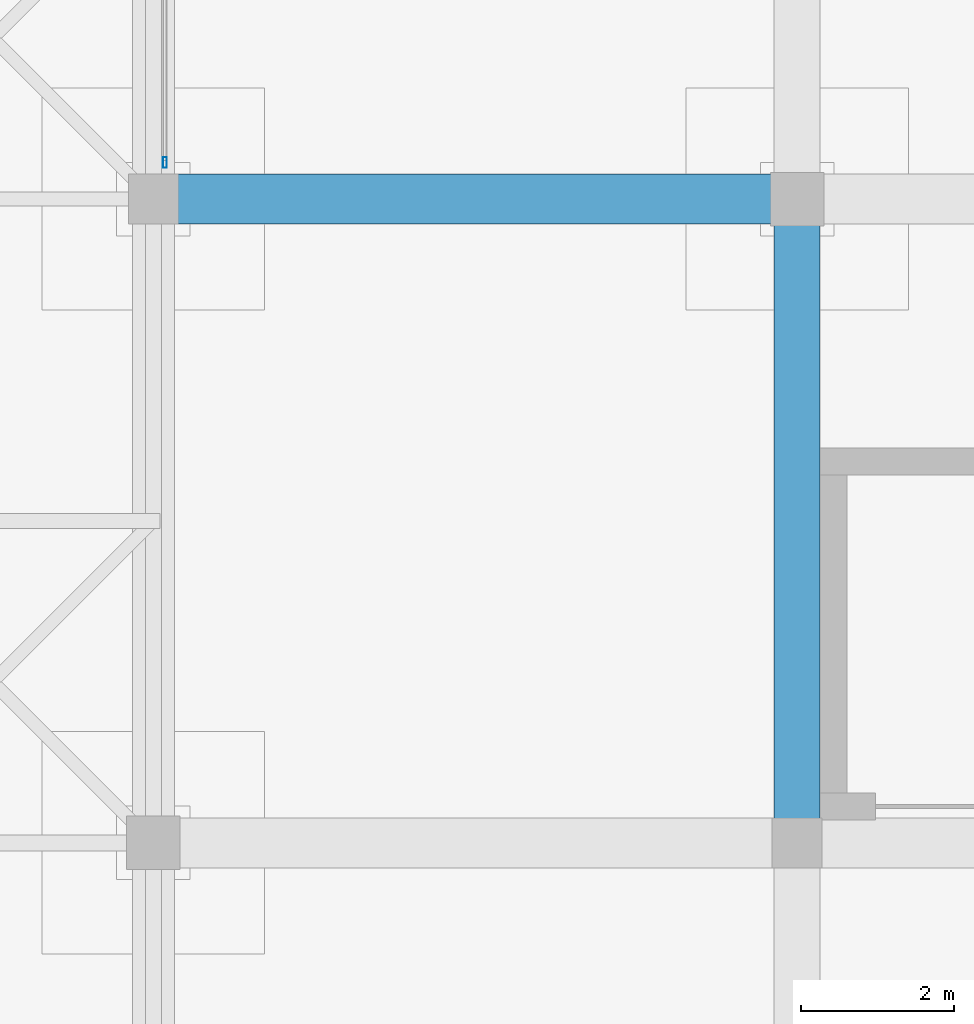
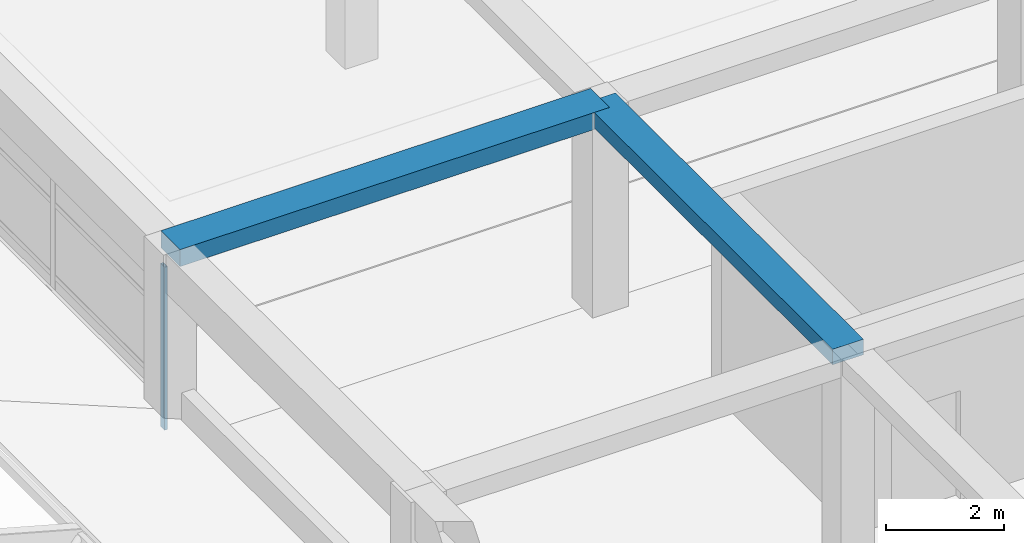
# One storey, part 29 of 85: 2 beams, 1 member, 1 element without a shape of its own.
"""IFC4 building model written with IfcOpenShell, lengths in metres."""

from ifc_helpers import new_model, si_unit, direction, frame, origin, origin_2d, place, context, subcontext, project, spatial, rectangle, hollow_rectangle, extrude, material, material_profile, profile_set, type_object, element, aggregate, save


model = new_model("IFC4")

# Units and contexts
model_context = context("Model", 3, precision=1e-05, world=origin(), true_north=direction((0.0, 1.0)))
body_context = subcontext(model_context, "Body", "Model", "MODEL_VIEW")
ifc_project = project(units=[si_unit("LENGTHUNIT", "METRE"), si_unit("AREAUNIT", "SQUARE_METRE"), si_unit("VOLUMEUNIT", "CUBIC_METRE"), si_unit("PLANEANGLEUNIT", "RADIAN"), si_unit("MASSUNIT", "GRAM", prefix="KILO")], contexts=[model_context])

# Site, building, storey
site_placement = place(None, origin())
site = spatial("IfcSite", under=ifc_project, at=site_placement, CompositionType="ELEMENT")
building_placement = place(site_placement, origin())
building = spatial("IfcBuilding", under=site, at=building_placement, Name="Almacenes y Pasaje Nevantli", CompositionType="ELEMENT")
storey_placement = place(building_placement, frame((0.0, 0.0, 22.199951171875)))
storey = spatial("IfcBuildingStorey", under=building, at=storey_placement, Name="L05", CompositionType="ELEMENT", Elevation=22.199951171875)

# Beams
ifc_material_1 = material(Name="Concrete C35/45", Category="concrete")
ifc_material_profile_1 = material_profile(ifc_material_1, rectangle(XDim=0.60009765625, YDim=0.320068359375, at=origin_2d()), Name="RC-BM-600x320")
ifc_profile_set_1 = profile_set([ifc_material_profile_1], Name="Concrete C35/45")
beam_type_1 = type_object("IfcBeamType", Name="BM-RC-600x320", PredefinedType="BEAM", material=ifc_profile_set_1)
beam_1_placement = place(storey_placement, frame((100.800048828125, 58.800048828125, 4.06005859375), z_axis=(0.0, 1.0, 0.0), x_axis=(-1.0, 0.0, 0.0)))
element("IfcBeam", 1, at=beam_1_placement, inside=storey, type_object=beam_type_1, Name="L05 North-South Reinforced Concrete Beam #3484", PredefinedType="BEAM", context=body_context, shape_type="SweptSolid", body=[
    extrude(rectangle(XDim=0.60009765625, YDim=0.320068359375, at=origin_2d()), origin(), (0.0, 0.0, 1.0), 8.39990234375),
])
ifc_material_2 = material(Name="Concrete C35/45", Category="concrete")
ifc_material_profile_2 = material_profile(ifc_material_2, rectangle(XDim=0.64990234375, YDim=0.35009765625, at=origin_2d()), Name="RC-BM-650x350")
ifc_profile_set_2 = profile_set([ifc_material_profile_2], Name="Concrete C35/45")
beam_type_2 = type_object("IfcBeamType", Name="BM-RC-650x350", PredefinedType="BEAM", material=ifc_profile_set_2)
beam_2_placement = place(storey_placement, frame((92.39990234375, 67.199951171875, 4.045166015625), z_axis=(1.0, 0.0, 0.0), x_axis=(0.0, 1.0, 0.0)))
element("IfcBeam", 2, at=beam_2_placement, inside=storey, type_object=beam_type_2, Name="L05 East-West Reinforced Concrete Beam #3311", PredefinedType="BEAM", context=body_context, shape_type="SweptSolid", body=[
    extrude(rectangle(XDim=0.64990234375, YDim=0.35009765625, at=origin_2d()), origin(), (0.0, 0.0, 1.0), 8.400146484375),
])

# Curtain wall, member
ifc_material_3 = material(Name="Thermally Broken Aluminium and Low-E Glass", Category="aluminium")
curtain_wall_type = type_object("IfcCurtainWallType", Name="CW-UNIT-PODIUM", PredefinedType="USERDEFINED", material=ifc_material_3)
curtain_wall_placement = place(storey_placement, origin())
curtain_wall = element("IfcCurtainWall", 3, at=curtain_wall_placement, inside=storey, type_object=curtain_wall_type, Name="L05 Sky-Lobby West Arcade View Curtain Wall Bay 9", ObjectType="UNITIZED CURTAIN WALL", PredefinedType="USERDEFINED")
ifc_material_4 = material(Name="Thermally Broken Anodized Aluminium", Category="aluminium")
ifc_material_profile_3 = material_profile(ifc_material_4, hollow_rectangle(XDim=0.054931640625, YDim=0.139892578125, WallThickness=0.00341796875, at=origin_2d()), Name="ALU-MUL-55x140")
ifc_profile_set_3 = profile_set([ifc_material_profile_3], Name="Thermally Broken Anodized Aluminium")
member_type = type_object("IfcMemberType", Name="CW-MUL-160", PredefinedType="MULLION", material=ifc_profile_set_3)
member_placement = place(storey_placement, frame((92.550048828125, 67.677490234375, 0.0), z_axis=(0.0, 0.0, 1.0), x_axis=(-1.0, 0.0, 0.0)))
member = element("IfcMember", 4, at=member_placement, type_object=member_type, Name="CW-L05-096 mullion 1", PredefinedType="MULLION", context=body_context, shape_type="SweptSolid", body=[
    extrude(hollow_rectangle(XDim=0.054931640625, YDim=0.139892578125, WallThickness=0.00341796875, at=origin_2d()), origin(), (0.0, 0.0, 1.0), 3.3701171875),
])
aggregate(curtain_wall, [member])

save(model, "model.ifc")
